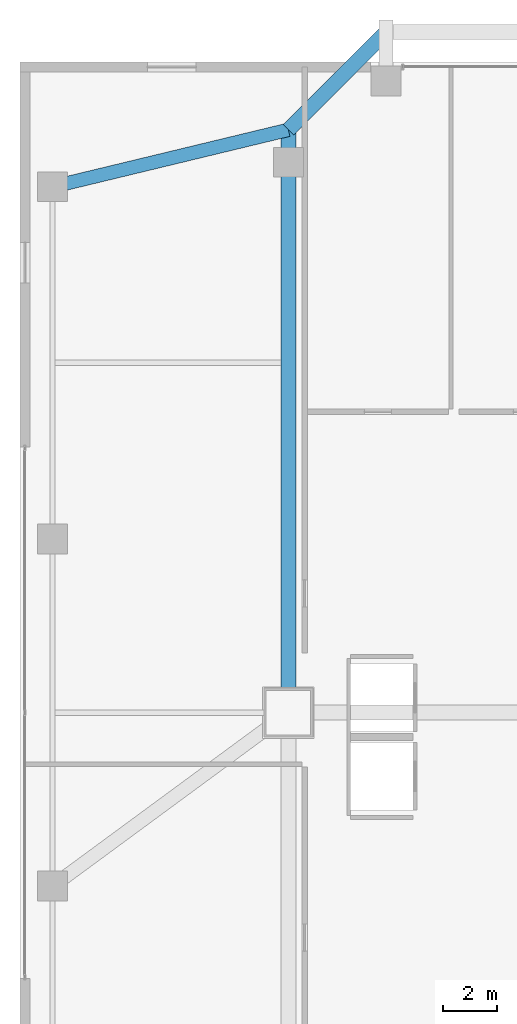
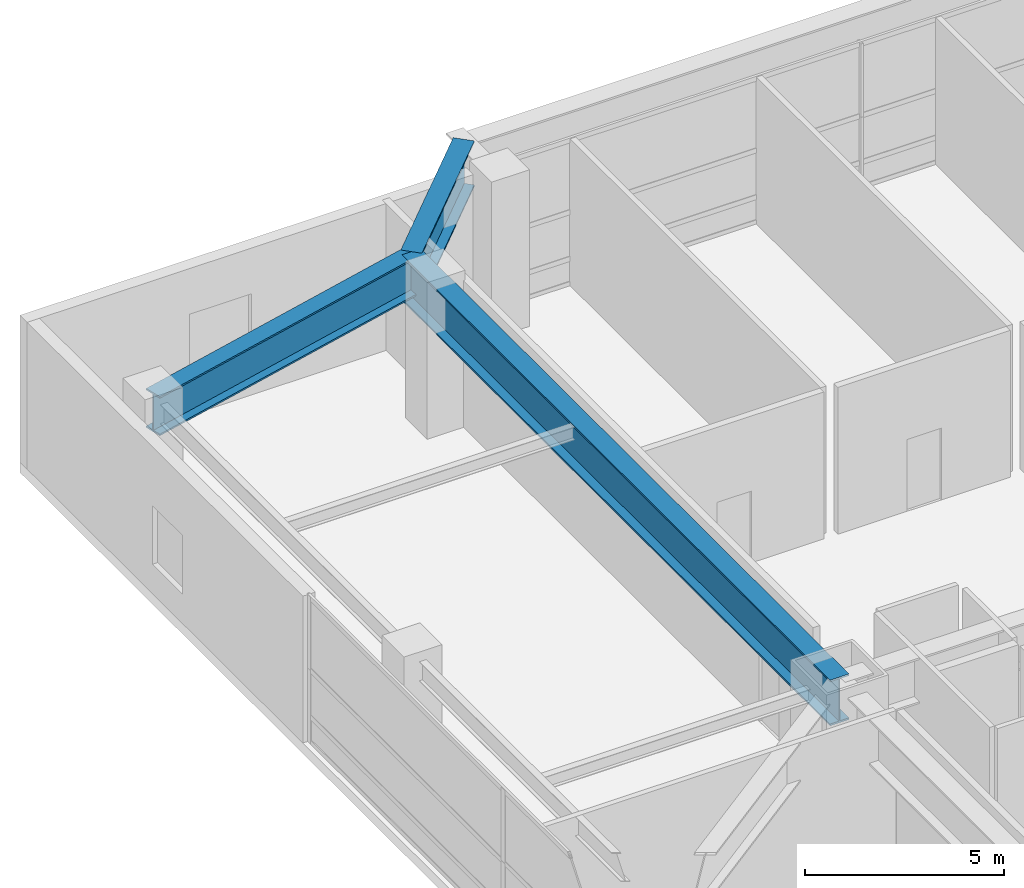
# One storey, part 18 of 34: 3 beams.
"""IFC4 building model written with IfcOpenShell, lengths in metres."""

from ifc_helpers import new_model, si_unit, direction, frame, origin, origin_2d, place, context, subcontext, project, spatial, i_section, extrude, source, transform, mapped, material, material_profile, profile_set, type_object, element, save


model = new_model("IFC4")

# Units and contexts
model_context = context("Model", 3, precision=1e-05, world=origin(), true_north=direction((0.0, 1.0)))
body_context = subcontext(model_context, "Body", "Model", "MODEL_VIEW")
ifc_project = project(units=[si_unit("LENGTHUNIT", "METRE"), si_unit("AREAUNIT", "SQUARE_METRE"), si_unit("VOLUMEUNIT", "CUBIC_METRE"), si_unit("PLANEANGLEUNIT", "RADIAN"), si_unit("MASSUNIT", "GRAM", prefix="KILO"), si_unit("THERMODYNAMICTEMPERATUREUNIT", "KELVIN"), si_unit("POWERUNIT", "WATT")], contexts=[model_context])

# Site, building, storey
site_placement = place(None, origin())
site = spatial("IfcSite", under=ifc_project, at=site_placement, CompositionType="ELEMENT")
building_placement = place(site_placement, origin())
building = spatial("IfcBuilding", under=site, at=building_placement, Name="Yuzanri Waterfront Tower", CompositionType="ELEMENT")
storey_placement = place(building_placement, frame((0.0, 0.0, 25.800048828125)))
storey = spatial("IfcBuildingStorey", under=building, at=storey_placement, Name="L06", CompositionType="ELEMENT", Elevation=25.800048828125)

# Beams
ifc_material_1 = material(Name="Steel Q420GJC", Category="steel")
ifc_material_profile_1 = material_profile(ifc_material_1, i_section(OverallWidth=0.550048828125, OverallDepth=1.39990234375, WebThickness=0.030029296875, FlangeThickness=0.054931640625, at=origin_2d()), Name="PG 1400x550x30x55")
ifc_profile_set_1 = profile_set([ifc_material_profile_1], Name="Steel Q420GJC")
beam_type_1 = type_object("IfcBeamType", Name="Tower Base Transfer Girder Q420GJC PG 1400x550", PredefinedType="USERDEFINED", material=ifc_profile_set_1)
shared_shape_1 = source(origin(), body_context, "Body", "SweptSolid", [
    extrude(i_section(OverallWidth=0.550048828125, OverallDepth=1.39990234375, WebThickness=0.030029296875, FlangeThickness=0.054931640625, at=origin_2d()), origin(), (0.0, 0.0, 1.0), 21.5),
])
beam_1_placement = place(storey_placement, frame((11.89990234375, 47.300048828125, 3.800048828125), z_axis=(0.0, -1.0, 0.0), x_axis=(1.0, 0.0, 0.0)))
element("IfcBeam", 1, at=beam_1_placement, inside=storey, type_object=beam_type_1, Name="L06 Tower Base Ring W3-W2", ObjectType="GIRDER", PredefinedType="USERDEFINED", context=body_context, shape_type="MappedRepresentation", body=[
    mapped(shared_shape_1, transform((0.0, 0.0, 0.0), scale=1.0)),
])
shared_shape_2 = source(origin(), body_context, "Body", "SweptSolid", [
    extrude(i_section(OverallWidth=0.550048828125, OverallDepth=1.39990234375, WebThickness=0.030029296875, FlangeThickness=0.054931640625, at=origin_2d()), origin(), (0.0, 0.0, 1.0), 5.091064453125),
])
beam_2_placement = place(storey_placement, frame((15.5, 50.89990234375, 3.800048828125), z_axis=(-0.707130757816, -0.707082803744, 0.0), x_axis=(0.707082803744, -0.707130757816, 0.0)))
element("IfcBeam", 2, at=beam_2_placement, inside=storey, type_object=beam_type_1, Name="L06 Tower Base Ring N1-W3", ObjectType="GIRDER", PredefinedType="USERDEFINED", context=body_context, shape_type="MappedRepresentation", body=[
    mapped(shared_shape_2, transform((0.0, 0.0, 0.0), scale=1.0)),
])
ifc_material_2 = material(Name="Steel Q420GJC", Category="steel")
ifc_material_profile_2 = material_profile(ifc_material_2, i_section(OverallWidth=0.5, OverallDepth=1.199951171875, WebThickness=0.028076171875, FlangeThickness=0.050048828125, at=origin_2d()), Name="PG 1200x500x28x50")
ifc_profile_set_2 = profile_set([ifc_material_profile_2], Name="Steel Q420GJC")
beam_type_2 = type_object("IfcBeamType", Name="Setback Transfer Girder Q420GJC PG 1200x500", PredefinedType="USERDEFINED", material=ifc_profile_set_2)
shared_shape_3 = source(origin(), body_context, "Body", "SweptSolid", [
    extrude(i_section(OverallWidth=0.5, OverallDepth=1.199951171875, WebThickness=0.028076171875, FlangeThickness=0.050048828125, at=origin_2d()), origin(), (0.0, 0.0, 1.0), 8.949951171875),
])
beam_3_placement = place(storey_placement, frame((11.89990234375, 47.300048828125, 3.89990234375), z_axis=(-0.972079419326, -0.234652088257, 0.0), x_axis=(0.234652088257, -0.972079419326, 0.0)))
element("IfcBeam", 3, at=beam_3_placement, inside=storey, type_object=beam_type_2, Name="L06 Tower Base Tie W3", ObjectType="GIRDER", PredefinedType="USERDEFINED", context=body_context, shape_type="MappedRepresentation", body=[
    mapped(shared_shape_3, transform((0.0, 0.0, 0.0), scale=1.0)),
])

save(model, "model.ifc")
